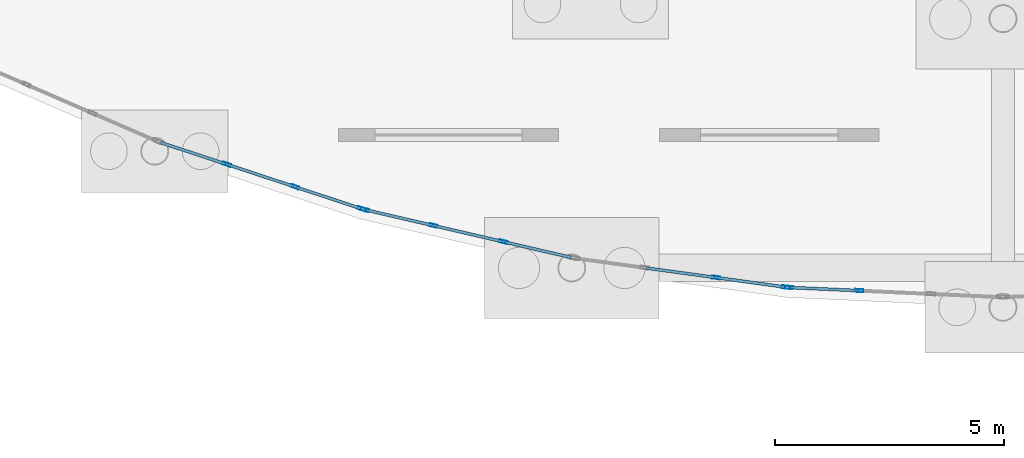
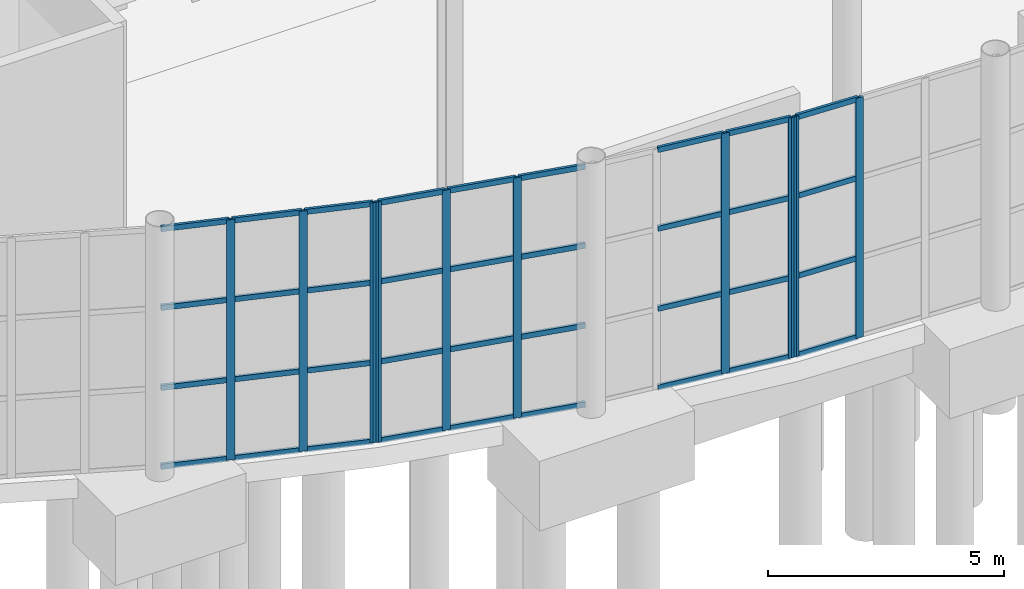
# One storey, part 42 of 115: 46 members, 4 elements without a shape of their own.
"""IFC4 building model written with IfcOpenShell, lengths in metres."""

from ifc_helpers import new_model, si_unit, direction, frame, origin, origin_2d, place, context, subcontext, project, spatial, hollow_rectangle, extrude, material, layer, layer_set, material_profile, profile_set, type_object, element, aggregate, save


model = new_model("IFC4")

# Units and contexts
model_context = context("Model", 3, precision=1e-05, world=origin(), true_north=direction((0.0, 1.0)))
body_context = subcontext(model_context, "Body", "Model", "MODEL_VIEW")
ifc_project = project(units=[si_unit("LENGTHUNIT", "METRE"), si_unit("AREAUNIT", "SQUARE_METRE"), si_unit("VOLUMEUNIT", "CUBIC_METRE"), si_unit("PLANEANGLEUNIT", "RADIAN"), si_unit("MASSUNIT", "GRAM", prefix="KILO")], contexts=[model_context])

# Site, building, storey
site_placement = place(None, origin())
site = spatial("IfcSite", under=ifc_project, at=site_placement, CompositionType="ELEMENT")
building_placement = place(site_placement, origin())
building = spatial("IfcBuilding", under=site, at=building_placement, Name="Tamarisk Ironworks Central Station", CompositionType="ELEMENT")
storey_placement = place(building_placement, origin())
storey = spatial("IfcBuildingStorey", under=building, at=storey_placement, Name="L00", CompositionType="ELEMENT", Elevation=0.0)

# Curtain wall, members
ifc_material = material(Name="Anodized aluminium alloy 6063-T6", Category="aluminium")
ifc_layer = layer(ifc_material, 0.179931640625)
ifc_layer_set = layer_set([ifc_layer], Name="Anodized aluminium alloy 6063-T6")
curtain_wall_type = type_object("IfcCurtainWallType", Name="CW-01", PredefinedType="USERDEFINED", material=ifc_layer_set)
curtain_wall_1_placement = place(storey_placement, origin())
curtain_wall_1 = element("IfcCurtainWall", 1, at=curtain_wall_1_placement, inside=storey, type_object=curtain_wall_type, Name="SN rounded entrance hall L00 curtain wall bay 03", ObjectType="GLAZED CURTAIN WALL", PredefinedType="USERDEFINED")
ifc_material_profile_1 = material_profile(ifc_material, hollow_rectangle(XDim=0.06494140625, YDim=0.179931640625, WallThickness=0.00390625, at=origin_2d()), Name="ALUM 180x65")
ifc_profile_set_1 = profile_set([ifc_material_profile_1], Name="Anodized aluminium alloy 6063-T6")
member_type_1 = type_object("IfcMemberType", Name="CWM-02", PredefinedType="MULLION", material=ifc_profile_set_1)
member_1_placement = place(storey_placement, frame((64.05908203125, 6.361083984375, 0.0), z_axis=(0.0, 0.0, 1.0), x_axis=(0.313098460171, 0.949720671692, 0.0)))
member_1 = element("IfcMember", 2, at=member_1_placement, type_object=member_type_1, Name="CW01 mullion 2", PredefinedType="MULLION", context=body_context, shape_type="SweptSolid", body=[
    extrude(hollow_rectangle(XDim=0.06494140625, YDim=0.179931640625, WallThickness=0.00390625, at=origin_2d()), origin(), (0.0, 0.0, 1.0), 6.219970703125),
])
member_2_placement = place(storey_placement, frame((65.550048828125, 5.86962890625, 0.0), z_axis=(0.0, 0.0, 1.0), x_axis=(0.313098460171, 0.949720671692, 0.0)))
member_2 = element("IfcMember", 3, at=member_2_placement, type_object=member_type_1, Name="CW01 mullion 3", PredefinedType="MULLION", context=body_context, shape_type="SweptSolid", body=[
    extrude(hollow_rectangle(XDim=0.06494140625, YDim=0.179931640625, WallThickness=0.00390625, at=origin_2d()), origin(), (0.0, 0.0, 1.0), 6.219970703125),
])
member_3_placement = place(storey_placement, frame((67.01025390625, 5.38818359375, 0.0), z_axis=(0.0, 0.0, 1.0), x_axis=(0.313098460171, 0.949720671692, 0.0)))
member_3 = element("IfcMember", 4, at=member_3_placement, type_object=member_type_1, Name="CW01 mullion 4", PredefinedType="MULLION", context=body_context, shape_type="SweptSolid", body=[
    extrude(hollow_rectangle(XDim=0.06494140625, YDim=0.179931640625, WallThickness=0.00390625, at=origin_2d()), origin(), (0.0, 0.0, 1.0), 6.219970703125),
])

curtain_wall_2_placement = place(storey_placement, origin())
curtain_wall_2 = element("IfcCurtainWall", 5, at=curtain_wall_2_placement, inside=storey, type_object=curtain_wall_type, Name="SN rounded entrance hall L00 curtain wall bay 04", ObjectType="GLAZED CURTAIN WALL", PredefinedType="USERDEFINED")
member_4_placement = place(storey_placement, frame((67.07275390625, 5.37060546875, 0.0), z_axis=(0.0, 0.0, 1.0), x_axis=(0.225516966506, 0.974239240545, 0.0)))
member_4 = element("IfcMember", 6, at=member_4_placement, type_object=member_type_1, Name="CW01 mullion 1", PredefinedType="MULLION", context=body_context, shape_type="SweptSolid", body=[
    extrude(hollow_rectangle(XDim=0.06494140625, YDim=0.179931640625, WallThickness=0.00390625, at=origin_2d()), origin(), (0.0, 0.0, 1.0), 6.219970703125),
])
member_5_placement = place(storey_placement, frame((68.570556640625, 5.02392578125, 0.0), z_axis=(0.0, 0.0, 1.0), x_axis=(0.225516966506, 0.974239240545, 0.0)))
member_5 = element("IfcMember", 7, at=member_5_placement, type_object=member_type_1, Name="CW01 mullion 2", PredefinedType="MULLION", context=body_context, shape_type="SweptSolid", body=[
    extrude(hollow_rectangle(XDim=0.06494140625, YDim=0.179931640625, WallThickness=0.00390625, at=origin_2d()), origin(), (0.0, 0.0, 1.0), 6.219970703125),
])
member_6_placement = place(storey_placement, frame((70.099853515625, 4.669921875, 0.0), z_axis=(0.0, 0.0, 1.0), x_axis=(0.225516966506, 0.974239240545, 0.0)))
member_6 = element("IfcMember", 8, at=member_6_placement, type_object=member_type_1, Name="CW01 mullion 3", PredefinedType="MULLION", context=body_context, shape_type="SweptSolid", body=[
    extrude(hollow_rectangle(XDim=0.06494140625, YDim=0.179931640625, WallThickness=0.00390625, at=origin_2d()), origin(), (0.0, 0.0, 1.0), 6.219970703125),
])

curtain_wall_3_placement = place(storey_placement, origin())
curtain_wall_3 = element("IfcCurtainWall", 9, at=curtain_wall_3_placement, inside=storey, type_object=curtain_wall_type, Name="SN rounded entrance hall L00 curtain wall bay 05", ObjectType="GLAZED CURTAIN WALL", PredefinedType="USERDEFINED")
member_7_placement = place(storey_placement, frame((74.739990234375, 3.888671875, 0.0), z_axis=(0.0, 0.0, 1.0), x_axis=(0.136041725218, 0.990703108403, 0.0)))
member_7 = element("IfcMember", 10, at=member_7_placement, type_object=member_type_1, Name="CW01 mullion 3", PredefinedType="MULLION", context=body_context, shape_type="SweptSolid", body=[
    extrude(hollow_rectangle(XDim=0.06494140625, YDim=0.179931640625, WallThickness=0.00390625, at=origin_2d()), origin(), (0.0, 0.0, 1.0), 6.219970703125),
])
member_8_placement = place(storey_placement, frame((76.262939453125, 3.6796875, 0.0), z_axis=(0.0, 0.0, 1.0), x_axis=(0.136041725218, 0.990703108403, 0.0)))
member_8 = element("IfcMember", 11, at=member_8_placement, type_object=member_type_1, Name="CW01 mullion 4", PredefinedType="MULLION", context=body_context, shape_type="SweptSolid", body=[
    extrude(hollow_rectangle(XDim=0.06494140625, YDim=0.179931640625, WallThickness=0.00390625, at=origin_2d()), origin(), (0.0, 0.0, 1.0), 6.219970703125),
])

curtain_wall_4_placement = place(storey_placement, origin())
curtain_wall_4 = element("IfcCurtainWall", 12, at=curtain_wall_4_placement, inside=storey, type_object=curtain_wall_type, Name="SN rounded entrance hall L00 curtain wall bay 06", ObjectType="GLAZED CURTAIN WALL", PredefinedType="USERDEFINED")
member_9_placement = place(storey_placement, frame((76.32763671875, 3.673828125, 0.0), z_axis=(0.0, 0.0, 1.0), x_axis=(0.045480859558, 0.998965210312, 0.0)))
member_9 = element("IfcMember", 13, at=member_9_placement, type_object=member_type_1, Name="CW01 mullion 1", PredefinedType="MULLION", context=body_context, shape_type="SweptSolid", body=[
    extrude(hollow_rectangle(XDim=0.06494140625, YDim=0.179931640625, WallThickness=0.00390625, at=origin_2d()), origin(), (0.0, 0.0, 1.0), 6.219970703125),
])
member_10_placement = place(storey_placement, frame((77.863525390625, 3.603759765625, 0.0), z_axis=(0.0, 0.0, 1.0), x_axis=(0.045480859558, 0.998965210312, 0.0)))
member_10 = element("IfcMember", 14, at=member_10_placement, type_object=member_type_1, Name="CW01 mullion 2", PredefinedType="MULLION", context=body_context, shape_type="SweptSolid", body=[
    extrude(hollow_rectangle(XDim=0.06494140625, YDim=0.179931640625, WallThickness=0.00390625, at=origin_2d()), origin(), (0.0, 0.0, 1.0), 6.219970703125),
])

# Member
ifc_material_profile_2 = material_profile(ifc_material, hollow_rectangle(XDim=0.06494140625, YDim=0.135009765625, WallThickness=0.00341796875, at=origin_2d()), Name="ALUM 135x65")
ifc_profile_set_2 = profile_set([ifc_material_profile_2], Name="Anodized aluminium alloy 6063-T6")
member_type_2 = type_object("IfcMemberType", Name="CWT-02", PredefinedType="USERDEFINED", material=ifc_profile_set_2)
member_11_placement = place(storey_placement, frame((62.626220703125, 6.83349609375, 0.032470703125), z_axis=(0.949684588352, -0.313207890462, 0.0), x_axis=(0.313207890462, 0.949684588352, 0.0)))
member_11 = element("IfcMember", 15, at=member_11_placement, type_object=member_type_2, Name="CW01 transom 1.1", ObjectType="TRANSOM", PredefinedType="USERDEFINED", context=body_context, shape_type="SweptSolid", body=[
    extrude(hollow_rectangle(XDim=0.06494140625, YDim=0.135009765625, WallThickness=0.00341796875, at=origin_2d()), origin(), (0.0, 0.0, 1.0), 1.480224609375),
])

member_12_placement = place(storey_placement, frame((62.626220703125, 6.83349609375, 2.0732421875), z_axis=(0.949684588352, -0.313207890462, 0.0), x_axis=(0.313207890462, 0.949684588352, 0.0)))
member_12 = element("IfcMember", 16, at=member_12_placement, type_object=member_type_2, Name="CW01 transom 1.2", ObjectType="TRANSOM", PredefinedType="USERDEFINED", context=body_context, shape_type="SweptSolid", body=[
    extrude(hollow_rectangle(XDim=0.06494140625, YDim=0.135009765625, WallThickness=0.00341796875, at=origin_2d()), origin(), (0.0, 0.0, 1.0), 1.480224609375),
])

member_13_placement = place(storey_placement, frame((62.626220703125, 6.83349609375, 4.146728515625), z_axis=(0.949684588352, -0.313207890462, 0.0), x_axis=(0.313207890462, 0.949684588352, 0.0)))
member_13 = element("IfcMember", 17, at=member_13_placement, type_object=member_type_2, Name="CW01 transom 1.3", ObjectType="TRANSOM", PredefinedType="USERDEFINED", context=body_context, shape_type="SweptSolid", body=[
    extrude(hollow_rectangle(XDim=0.06494140625, YDim=0.135009765625, WallThickness=0.00341796875, at=origin_2d()), origin(), (0.0, 0.0, 1.0), 1.480224609375),
])

member_14_placement = place(storey_placement, frame((62.626220703125, 6.83349609375, 6.1875), z_axis=(0.949684588352, -0.313207890462, 0.0), x_axis=(0.313207890462, 0.949684588352, 0.0)))
member_14 = element("IfcMember", 18, at=member_14_placement, type_object=member_type_2, Name="CW01 transom 1.4", ObjectType="TRANSOM", PredefinedType="USERDEFINED", context=body_context, shape_type="SweptSolid", body=[
    extrude(hollow_rectangle(XDim=0.06494140625, YDim=0.135009765625, WallThickness=0.00341796875, at=origin_2d()), origin(), (0.0, 0.0, 1.0), 1.480224609375),
])

member_15_placement = place(storey_placement, frame((64.086181640625, 6.35205078125, 0.032470703125), z_axis=(0.949727054968, -0.313079097135, 0.0), x_axis=(0.313079097135, 0.949727054968, 0.0)))
member_15 = element("IfcMember", 19, at=member_15_placement, type_object=member_type_2, Name="CW01 transom 2.1", ObjectType="TRANSOM", PredefinedType="USERDEFINED", context=body_context, shape_type="SweptSolid", body=[
    extrude(hollow_rectangle(XDim=0.06494140625, YDim=0.135009765625, WallThickness=0.00341796875, at=origin_2d()), origin(), (0.0, 0.0, 1.0), 1.512939453125),
])

member_16_placement = place(storey_placement, frame((64.086181640625, 6.35205078125, 2.0732421875), z_axis=(0.949727054968, -0.313079097135, 0.0), x_axis=(0.313079097135, 0.949727054968, 0.0)))
member_16 = element("IfcMember", 20, at=member_16_placement, type_object=member_type_2, Name="CW01 transom 2.2", ObjectType="TRANSOM", PredefinedType="USERDEFINED", context=body_context, shape_type="SweptSolid", body=[
    extrude(hollow_rectangle(XDim=0.06494140625, YDim=0.135009765625, WallThickness=0.00341796875, at=origin_2d()), origin(), (0.0, 0.0, 1.0), 1.512939453125),
])

member_17_placement = place(storey_placement, frame((64.086181640625, 6.35205078125, 4.146728515625), z_axis=(0.949727054968, -0.313079097135, 0.0), x_axis=(0.313079097135, 0.949727054968, 0.0)))
member_17 = element("IfcMember", 21, at=member_17_placement, type_object=member_type_2, Name="CW01 transom 2.3", ObjectType="TRANSOM", PredefinedType="USERDEFINED", context=body_context, shape_type="SweptSolid", body=[
    extrude(hollow_rectangle(XDim=0.06494140625, YDim=0.135009765625, WallThickness=0.00341796875, at=origin_2d()), origin(), (0.0, 0.0, 1.0), 1.512939453125),
])

member_18_placement = place(storey_placement, frame((64.086181640625, 6.35205078125, 6.1875), z_axis=(0.949727054968, -0.313079097135, 0.0), x_axis=(0.313079097135, 0.949727054968, 0.0)))
member_18 = element("IfcMember", 22, at=member_18_placement, type_object=member_type_2, Name="CW01 transom 2.4", ObjectType="TRANSOM", PredefinedType="USERDEFINED", context=body_context, shape_type="SweptSolid", body=[
    extrude(hollow_rectangle(XDim=0.06494140625, YDim=0.135009765625, WallThickness=0.00341796875, at=origin_2d()), origin(), (0.0, 0.0, 1.0), 1.512939453125),
])

member_19_placement = place(storey_placement, frame((65.5771484375, 5.860595703125, 0.032470703125), z_axis=(0.949749799831, -0.313010092044, 0.0), x_axis=(0.313010092044, 0.949749799831, 0.0)))
member_19 = element("IfcMember", 23, at=member_19_placement, type_object=member_type_2, Name="CW01 transom 3.1", ObjectType="TRANSOM", PredefinedType="USERDEFINED", context=body_context, shape_type="SweptSolid", body=[
    extrude(hollow_rectangle(XDim=0.06494140625, YDim=0.135009765625, WallThickness=0.00341796875, at=origin_2d()), origin(), (0.0, 0.0, 1.0), 1.48046875),
])

member_20_placement = place(storey_placement, frame((65.5771484375, 5.860595703125, 2.0732421875), z_axis=(0.949749799831, -0.313010092044, 0.0), x_axis=(0.313010092044, 0.949749799831, 0.0)))
member_20 = element("IfcMember", 24, at=member_20_placement, type_object=member_type_2, Name="CW01 transom 3.2", ObjectType="TRANSOM", PredefinedType="USERDEFINED", context=body_context, shape_type="SweptSolid", body=[
    extrude(hollow_rectangle(XDim=0.06494140625, YDim=0.135009765625, WallThickness=0.00341796875, at=origin_2d()), origin(), (0.0, 0.0, 1.0), 1.48046875),
])

member_21_placement = place(storey_placement, frame((65.5771484375, 5.860595703125, 4.146728515625), z_axis=(0.949749799831, -0.313010092044, 0.0), x_axis=(0.313010092044, 0.949749799831, 0.0)))
member_21 = element("IfcMember", 25, at=member_21_placement, type_object=member_type_2, Name="CW01 transom 3.3", ObjectType="TRANSOM", PredefinedType="USERDEFINED", context=body_context, shape_type="SweptSolid", body=[
    extrude(hollow_rectangle(XDim=0.06494140625, YDim=0.135009765625, WallThickness=0.00341796875, at=origin_2d()), origin(), (0.0, 0.0, 1.0), 1.48046875),
])

member_22_placement = place(storey_placement, frame((65.5771484375, 5.860595703125, 6.1875), z_axis=(0.949749799831, -0.313010092044, 0.0), x_axis=(0.313010092044, 0.949749799831, 0.0)))
member_22 = element("IfcMember", 26, at=member_22_placement, type_object=member_type_2, Name="CW01 transom 3.4", ObjectType="TRANSOM", PredefinedType="USERDEFINED", context=body_context, shape_type="SweptSolid", body=[
    extrude(hollow_rectangle(XDim=0.06494140625, YDim=0.135009765625, WallThickness=0.00341796875, at=origin_2d()), origin(), (0.0, 0.0, 1.0), 1.48046875),
])

aggregate(curtain_wall_1, [member_1, member_2, member_3, member_11, member_12, member_13, member_14, member_15, member_16, member_17, member_18, member_19, member_20, member_21, member_22])

member_23_placement = place(storey_placement, frame((67.1005859375, 5.3642578125, 0.032470703125), z_axis=(0.974215782527, -0.225618281784, 0.0), x_axis=(0.225618281784, 0.974215782527, 0.0)))
member_23 = element("IfcMember", 27, at=member_23_placement, type_object=member_type_2, Name="CW01 transom 1.1", ObjectType="TRANSOM", PredefinedType="USERDEFINED", context=body_context, shape_type="SweptSolid", body=[
    extrude(hollow_rectangle(XDim=0.06494140625, YDim=0.135009765625, WallThickness=0.00341796875, at=origin_2d()), origin(), (0.0, 0.0, 1.0), 1.480224609375),
])

member_24_placement = place(storey_placement, frame((67.1005859375, 5.3642578125, 2.0732421875), z_axis=(0.974215782527, -0.225618281784, 0.0), x_axis=(0.225618281784, 0.974215782527, 0.0)))
member_24 = element("IfcMember", 28, at=member_24_placement, type_object=member_type_2, Name="CW01 transom 1.2", ObjectType="TRANSOM", PredefinedType="USERDEFINED", context=body_context, shape_type="SweptSolid", body=[
    extrude(hollow_rectangle(XDim=0.06494140625, YDim=0.135009765625, WallThickness=0.00341796875, at=origin_2d()), origin(), (0.0, 0.0, 1.0), 1.480224609375),
])

member_25_placement = place(storey_placement, frame((67.1005859375, 5.3642578125, 4.146728515625), z_axis=(0.974215782527, -0.225618281784, 0.0), x_axis=(0.225618281784, 0.974215782527, 0.0)))
member_25 = element("IfcMember", 29, at=member_25_placement, type_object=member_type_2, Name="CW01 transom 1.3", ObjectType="TRANSOM", PredefinedType="USERDEFINED", context=body_context, shape_type="SweptSolid", body=[
    extrude(hollow_rectangle(XDim=0.06494140625, YDim=0.135009765625, WallThickness=0.00341796875, at=origin_2d()), origin(), (0.0, 0.0, 1.0), 1.480224609375),
])

member_26_placement = place(storey_placement, frame((67.1005859375, 5.3642578125, 6.1875), z_axis=(0.974215782527, -0.225618281784, 0.0), x_axis=(0.225618281784, 0.974215782527, 0.0)))
member_26 = element("IfcMember", 30, at=member_26_placement, type_object=member_type_2, Name="CW01 transom 1.4", ObjectType="TRANSOM", PredefinedType="USERDEFINED", context=body_context, shape_type="SweptSolid", body=[
    extrude(hollow_rectangle(XDim=0.06494140625, YDim=0.135009765625, WallThickness=0.00341796875, at=origin_2d()), origin(), (0.0, 0.0, 1.0), 1.480224609375),
])

member_27_placement = place(storey_placement, frame((68.598388671875, 5.017578125, 0.032470703125), z_axis=(0.974219565411, -0.225601946736, 0.0), x_axis=(0.225601946736, 0.974219565411, 0.0)))
member_27 = element("IfcMember", 31, at=member_27_placement, type_object=member_type_2, Name="CW01 transom 2.1", ObjectType="TRANSOM", PredefinedType="USERDEFINED", context=body_context, shape_type="SweptSolid", body=[
    extrude(hollow_rectangle(XDim=0.06494140625, YDim=0.135009765625, WallThickness=0.00341796875, at=origin_2d()), origin(), (0.0, 0.0, 1.0), 1.512939453125),
])

member_28_placement = place(storey_placement, frame((68.598388671875, 5.017578125, 2.0732421875), z_axis=(0.974219565411, -0.225601946736, 0.0), x_axis=(0.225601946736, 0.974219565411, 0.0)))
member_28 = element("IfcMember", 32, at=member_28_placement, type_object=member_type_2, Name="CW01 transom 2.2", ObjectType="TRANSOM", PredefinedType="USERDEFINED", context=body_context, shape_type="SweptSolid", body=[
    extrude(hollow_rectangle(XDim=0.06494140625, YDim=0.135009765625, WallThickness=0.00341796875, at=origin_2d()), origin(), (0.0, 0.0, 1.0), 1.512939453125),
])

member_29_placement = place(storey_placement, frame((68.598388671875, 5.017578125, 4.146728515625), z_axis=(0.974219565411, -0.225601946736, 0.0), x_axis=(0.225601946736, 0.974219565411, 0.0)))
member_29 = element("IfcMember", 33, at=member_29_placement, type_object=member_type_2, Name="CW01 transom 2.3", ObjectType="TRANSOM", PredefinedType="USERDEFINED", context=body_context, shape_type="SweptSolid", body=[
    extrude(hollow_rectangle(XDim=0.06494140625, YDim=0.135009765625, WallThickness=0.00341796875, at=origin_2d()), origin(), (0.0, 0.0, 1.0), 1.512939453125),
])

member_30_placement = place(storey_placement, frame((68.598388671875, 5.017578125, 6.1875), z_axis=(0.974219565411, -0.225601946736, 0.0), x_axis=(0.225601946736, 0.974219565411, 0.0)))
member_30 = element("IfcMember", 34, at=member_30_placement, type_object=member_type_2, Name="CW01 transom 2.4", ObjectType="TRANSOM", PredefinedType="USERDEFINED", context=body_context, shape_type="SweptSolid", body=[
    extrude(hollow_rectangle(XDim=0.06494140625, YDim=0.135009765625, WallThickness=0.00341796875, at=origin_2d()), origin(), (0.0, 0.0, 1.0), 1.512939453125),
])

member_31_placement = place(storey_placement, frame((70.127685546875, 4.66357421875, 0.032470703125), z_axis=(0.974224175815, -0.225582036648, 0.0), x_axis=(0.225582036648, 0.974224175815, 0.0)))
member_31 = element("IfcMember", 35, at=member_31_placement, type_object=member_type_2, Name="CW01 transom 3.1", ObjectType="TRANSOM", PredefinedType="USERDEFINED", context=body_context, shape_type="SweptSolid", body=[
    extrude(hollow_rectangle(XDim=0.06494140625, YDim=0.135009765625, WallThickness=0.00341796875, at=origin_2d()), origin(), (0.0, 0.0, 1.0), 1.48046875),
])

member_32_placement = place(storey_placement, frame((70.127685546875, 4.66357421875, 2.0732421875), z_axis=(0.974224175815, -0.225582036648, 0.0), x_axis=(0.225582036648, 0.974224175815, 0.0)))
member_32 = element("IfcMember", 36, at=member_32_placement, type_object=member_type_2, Name="CW01 transom 3.2", ObjectType="TRANSOM", PredefinedType="USERDEFINED", context=body_context, shape_type="SweptSolid", body=[
    extrude(hollow_rectangle(XDim=0.06494140625, YDim=0.135009765625, WallThickness=0.00341796875, at=origin_2d()), origin(), (0.0, 0.0, 1.0), 1.48046875),
])

member_33_placement = place(storey_placement, frame((70.127685546875, 4.66357421875, 4.146728515625), z_axis=(0.974224175815, -0.225582036648, 0.0), x_axis=(0.225582036648, 0.974224175815, 0.0)))
member_33 = element("IfcMember", 37, at=member_33_placement, type_object=member_type_2, Name="CW01 transom 3.3", ObjectType="TRANSOM", PredefinedType="USERDEFINED", context=body_context, shape_type="SweptSolid", body=[
    extrude(hollow_rectangle(XDim=0.06494140625, YDim=0.135009765625, WallThickness=0.00341796875, at=origin_2d()), origin(), (0.0, 0.0, 1.0), 1.48046875),
])

member_34_placement = place(storey_placement, frame((70.127685546875, 4.66357421875, 6.1875), z_axis=(0.974224175815, -0.225582036648, 0.0), x_axis=(0.225582036648, 0.974224175815, 0.0)))
member_34 = element("IfcMember", 38, at=member_34_placement, type_object=member_type_2, Name="CW01 transom 3.4", ObjectType="TRANSOM", PredefinedType="USERDEFINED", context=body_context, shape_type="SweptSolid", body=[
    extrude(hollow_rectangle(XDim=0.06494140625, YDim=0.135009765625, WallThickness=0.00341796875, at=origin_2d()), origin(), (0.0, 0.0, 1.0), 1.48046875),
])

aggregate(curtain_wall_2, [member_4, member_5, member_6, member_23, member_24, member_25, member_26, member_27, member_28, member_29, member_30, member_31, member_32, member_33, member_34])

member_35_placement = place(storey_placement, frame((73.212890625, 4.098388671875, 0.032470703125), z_axis=(0.990703051997, -0.136042135988, 0.0), x_axis=(0.136042135988, 0.990703051997, 0.0)))
member_35 = element("IfcMember", 39, at=member_35_placement, type_object=member_type_2, Name="CW01 transom 2.1", ObjectType="TRANSOM", PredefinedType="USERDEFINED", context=body_context, shape_type="SweptSolid", body=[
    extrude(hollow_rectangle(XDim=0.06494140625, YDim=0.135009765625, WallThickness=0.00341796875, at=origin_2d()), origin(), (0.0, 0.0, 1.0), 1.512939453125),
])

member_36_placement = place(storey_placement, frame((73.212890625, 4.098388671875, 2.0732421875), z_axis=(0.990703051997, -0.136042135988, 0.0), x_axis=(0.136042135988, 0.990703051997, 0.0)))
member_36 = element("IfcMember", 40, at=member_36_placement, type_object=member_type_2, Name="CW01 transom 2.2", ObjectType="TRANSOM", PredefinedType="USERDEFINED", context=body_context, shape_type="SweptSolid", body=[
    extrude(hollow_rectangle(XDim=0.06494140625, YDim=0.135009765625, WallThickness=0.00341796875, at=origin_2d()), origin(), (0.0, 0.0, 1.0), 1.512939453125),
])

member_37_placement = place(storey_placement, frame((73.212890625, 4.098388671875, 4.146728515625), z_axis=(0.990703051997, -0.136042135988, 0.0), x_axis=(0.136042135988, 0.990703051997, 0.0)))
member_37 = element("IfcMember", 41, at=member_37_placement, type_object=member_type_2, Name="CW01 transom 2.3", ObjectType="TRANSOM", PredefinedType="USERDEFINED", context=body_context, shape_type="SweptSolid", body=[
    extrude(hollow_rectangle(XDim=0.06494140625, YDim=0.135009765625, WallThickness=0.00341796875, at=origin_2d()), origin(), (0.0, 0.0, 1.0), 1.512939453125),
])

member_38_placement = place(storey_placement, frame((73.212890625, 4.098388671875, 6.1875), z_axis=(0.990703051997, -0.136042135988, 0.0), x_axis=(0.136042135988, 0.990703051997, 0.0)))
member_38 = element("IfcMember", 42, at=member_38_placement, type_object=member_type_2, Name="CW01 transom 2.4", ObjectType="TRANSOM", PredefinedType="USERDEFINED", context=body_context, shape_type="SweptSolid", body=[
    extrude(hollow_rectangle(XDim=0.06494140625, YDim=0.135009765625, WallThickness=0.00341796875, at=origin_2d()), origin(), (0.0, 0.0, 1.0), 1.512939453125),
])

member_39_placement = place(storey_placement, frame((74.76806640625, 3.885009765625, 0.032470703125), z_axis=(0.990703301789, -0.136040316907, 0.0), x_axis=(0.136040316907, 0.990703301789, 0.0)))
member_39 = element("IfcMember", 43, at=member_39_placement, type_object=member_type_2, Name="CW01 transom 3.1", ObjectType="TRANSOM", PredefinedType="USERDEFINED", context=body_context, shape_type="SweptSolid", body=[
    extrude(hollow_rectangle(XDim=0.06494140625, YDim=0.135009765625, WallThickness=0.00341796875, at=origin_2d()), origin(), (0.0, 0.0, 1.0), 1.48046875),
])

member_40_placement = place(storey_placement, frame((74.76806640625, 3.885009765625, 2.0732421875), z_axis=(0.990703301789, -0.136040316907, 0.0), x_axis=(0.136040316907, 0.990703301789, 0.0)))
member_40 = element("IfcMember", 44, at=member_40_placement, type_object=member_type_2, Name="CW01 transom 3.2", ObjectType="TRANSOM", PredefinedType="USERDEFINED", context=body_context, shape_type="SweptSolid", body=[
    extrude(hollow_rectangle(XDim=0.06494140625, YDim=0.135009765625, WallThickness=0.00341796875, at=origin_2d()), origin(), (0.0, 0.0, 1.0), 1.48046875),
])

member_41_placement = place(storey_placement, frame((74.76806640625, 3.885009765625, 4.146728515625), z_axis=(0.990703301789, -0.136040316907, 0.0), x_axis=(0.136040316907, 0.990703301789, 0.0)))
member_41 = element("IfcMember", 45, at=member_41_placement, type_object=member_type_2, Name="CW01 transom 3.3", ObjectType="TRANSOM", PredefinedType="USERDEFINED", context=body_context, shape_type="SweptSolid", body=[
    extrude(hollow_rectangle(XDim=0.06494140625, YDim=0.135009765625, WallThickness=0.00341796875, at=origin_2d()), origin(), (0.0, 0.0, 1.0), 1.48046875),
])

member_42_placement = place(storey_placement, frame((74.76806640625, 3.885009765625, 6.1875), z_axis=(0.990703301789, -0.136040316907, 0.0), x_axis=(0.136040316907, 0.990703301789, 0.0)))
member_42 = element("IfcMember", 46, at=member_42_placement, type_object=member_type_2, Name="CW01 transom 3.4", ObjectType="TRANSOM", PredefinedType="USERDEFINED", context=body_context, shape_type="SweptSolid", body=[
    extrude(hollow_rectangle(XDim=0.06494140625, YDim=0.135009765625, WallThickness=0.00341796875, at=origin_2d()), origin(), (0.0, 0.0, 1.0), 1.48046875),
])

aggregate(curtain_wall_3, [member_7, member_8, member_35, member_36, member_37, member_38, member_39, member_40, member_41, member_42])

member_43_placement = place(storey_placement, frame((76.356201171875, 3.67236328125, 0.032470703125), z_axis=(0.998963433069, -0.04551987907, 0.0), x_axis=(0.04551987907, 0.998963433069, 0.0)))
member_43 = element("IfcMember", 47, at=member_43_placement, type_object=member_type_2, Name="CW01 transom 1.1", ObjectType="TRANSOM", PredefinedType="USERDEFINED", context=body_context, shape_type="SweptSolid", body=[
    extrude(hollow_rectangle(XDim=0.06494140625, YDim=0.135009765625, WallThickness=0.00341796875, at=origin_2d()), origin(), (0.0, 0.0, 1.0), 1.480224609375),
])

member_44_placement = place(storey_placement, frame((76.356201171875, 3.67236328125, 2.0732421875), z_axis=(0.998963433069, -0.04551987907, 0.0), x_axis=(0.04551987907, 0.998963433069, 0.0)))
member_44 = element("IfcMember", 48, at=member_44_placement, type_object=member_type_2, Name="CW01 transom 1.2", ObjectType="TRANSOM", PredefinedType="USERDEFINED", context=body_context, shape_type="SweptSolid", body=[
    extrude(hollow_rectangle(XDim=0.06494140625, YDim=0.135009765625, WallThickness=0.00341796875, at=origin_2d()), origin(), (0.0, 0.0, 1.0), 1.480224609375),
])

member_45_placement = place(storey_placement, frame((76.356201171875, 3.67236328125, 4.146728515625), z_axis=(0.998963433069, -0.04551987907, 0.0), x_axis=(0.04551987907, 0.998963433069, 0.0)))
member_45 = element("IfcMember", 49, at=member_45_placement, type_object=member_type_2, Name="CW01 transom 1.3", ObjectType="TRANSOM", PredefinedType="USERDEFINED", context=body_context, shape_type="SweptSolid", body=[
    extrude(hollow_rectangle(XDim=0.06494140625, YDim=0.135009765625, WallThickness=0.00341796875, at=origin_2d()), origin(), (0.0, 0.0, 1.0), 1.480224609375),
])

member_46_placement = place(storey_placement, frame((76.356201171875, 3.67236328125, 6.1875), z_axis=(0.998963433069, -0.04551987907, 0.0), x_axis=(0.04551987907, 0.998963433069, 0.0)))
member_46 = element("IfcMember", 50, at=member_46_placement, type_object=member_type_2, Name="CW01 transom 1.4", ObjectType="TRANSOM", PredefinedType="USERDEFINED", context=body_context, shape_type="SweptSolid", body=[
    extrude(hollow_rectangle(XDim=0.06494140625, YDim=0.135009765625, WallThickness=0.00341796875, at=origin_2d()), origin(), (0.0, 0.0, 1.0), 1.480224609375),
])

aggregate(curtain_wall_4, [member_9, member_10, member_43, member_44, member_45, member_46])

save(model, "model.ifc")
